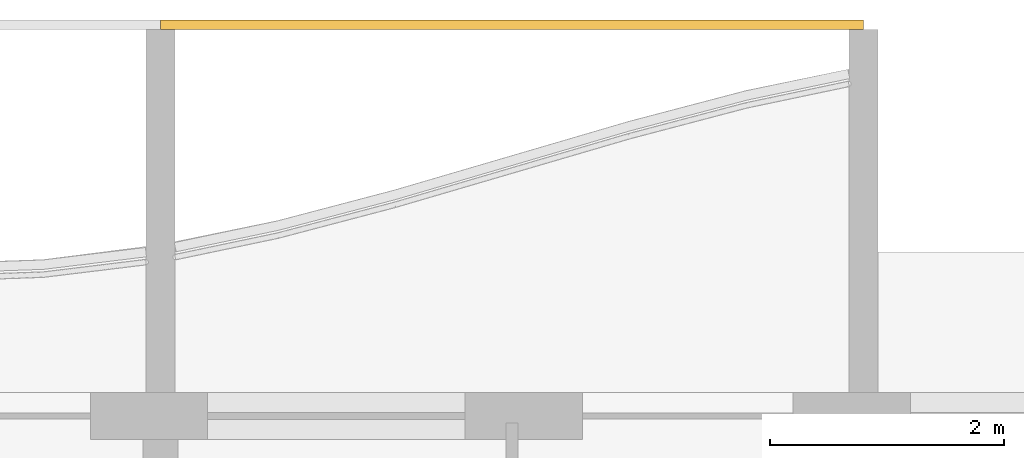
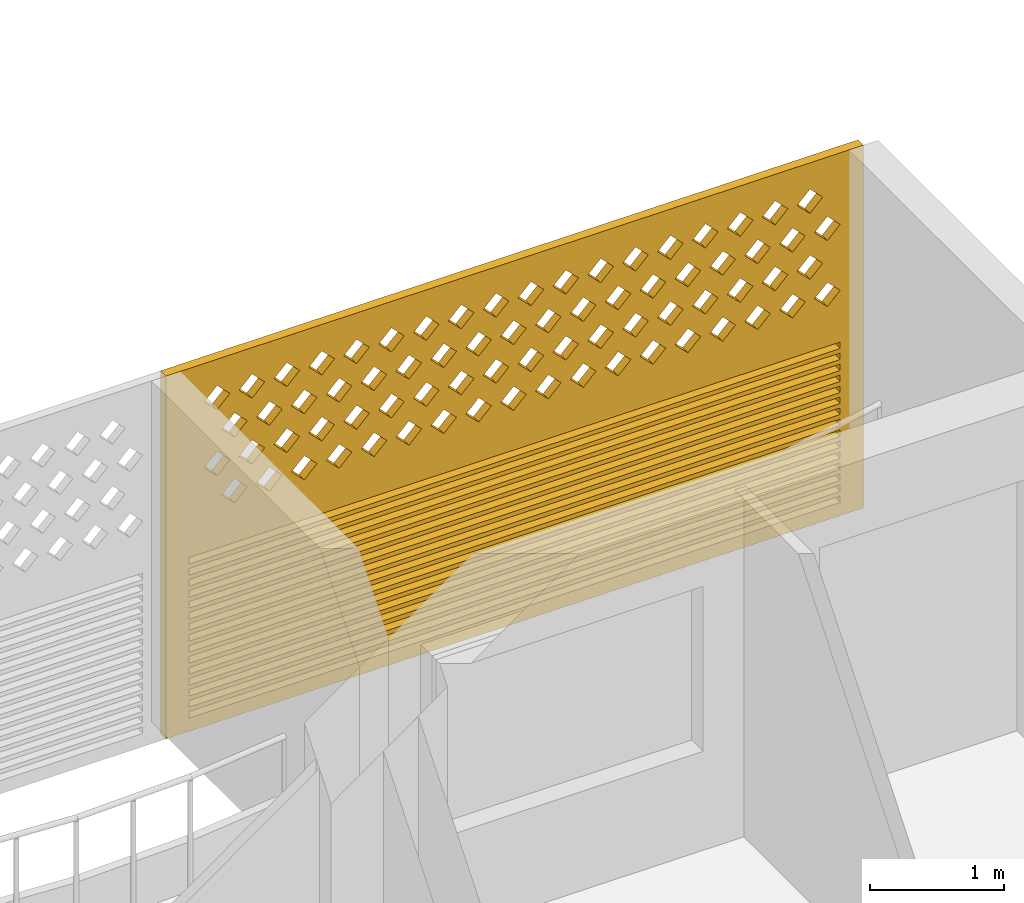
# One storey, part 24 of 32: 1 covering.
"""IFC4 building model written with IfcOpenShell, lengths in metres."""

from ifc_helpers import new_model, si_unit, direction, frame, origin, place, context, subcontext, project, spatial, polyline, outline, extrude, source, transform, mapped, material, material_profile, profile_set, type_object, element, save


model = new_model("IFC4")

# Units and contexts
model_context = context("Model", 3, precision=1e-05, world=origin(), true_north=direction((0.0, 1.0)))
body_context = subcontext(model_context, "Body", "Model", "MODEL_VIEW")
ifc_project = project(units=[si_unit("LENGTHUNIT", "METRE"), si_unit("AREAUNIT", "SQUARE_METRE"), si_unit("VOLUMEUNIT", "CUBIC_METRE"), si_unit("PLANEANGLEUNIT", "RADIAN"), si_unit("MASSUNIT", "GRAM", prefix="KILO")], contexts=[model_context])

# Site, building, storey
site_placement = place(None, origin())
site = spatial("IfcSite", under=ifc_project, at=site_placement, CompositionType="ELEMENT")
building_placement = place(site_placement, origin())
building = spatial("IfcBuilding", under=site, at=building_placement, Name="Poui Terraces", CompositionType="ELEMENT")
storey_placement = place(building_placement, frame((0.0, 0.0, 122.39990234375)))
storey = spatial("IfcBuildingStorey", under=building, at=storey_placement, Name="L33", CompositionType="ELEMENT", Elevation=122.39990234375)

# Covering
ifc_material = material(Name="Terracotta screen", Category="masonry")
ifc_material_profile = material_profile(ifc_material, outline(polyline([(-3.0, -1.64990234375), (3.0, -1.64990234375), (3.0, 1.64990234375), (-3.0, 1.64990234375), (-3.0, -1.64990234375)]), holes=[polyline([(-2.800048828125, 0.39990234375), (-2.68994140625, 0.2900390625), (-2.580078125, 0.39990234375), (-2.68994140625, 0.510009765625), (-2.800048828125, 0.39990234375)]), polyline([(-2.5, 0.39990234375), (-2.389892578125, 0.2900390625), (-2.280029296875, 0.39990234375), (-2.389892578125, 0.510009765625), (-2.5, 0.39990234375)]), polyline([(-2.199951171875, 0.39990234375), (-2.090087890625, 0.2900390625), (-1.97998046875, 0.39990234375), (-2.090087890625, 0.510009765625), (-2.199951171875, 0.39990234375)]), polyline([(-1.89990234375, 0.39990234375), (-1.7900390625, 0.2900390625), (-1.679931640625, 0.39990234375), (-1.7900390625, 0.510009765625), (-1.89990234375, 0.39990234375)]), polyline([(-1.60009765625, 0.39990234375), (-1.489990234375, 0.2900390625), (-1.3798828125, 0.39990234375), (-1.489990234375, 0.510009765625), (-1.60009765625, 0.39990234375)]), polyline([(-1.300048828125, 0.39990234375), (-1.18994140625, 0.2900390625), (-1.080078125, 0.39990234375), (-1.18994140625, 0.510009765625), (-1.300048828125, 0.39990234375)]), polyline([(-1.0, 0.39990234375), (-0.889892578125, 0.2900390625), (-0.780029296875, 0.39990234375), (-0.889892578125, 0.510009765625), (-1.0, 0.39990234375)]), polyline([(-0.699951171875, 0.39990234375), (-0.590087890625, 0.2900390625), (-0.47998046875, 0.39990234375), (-0.590087890625, 0.510009765625), (-0.699951171875, 0.39990234375)]), polyline([(-0.39990234375, 0.39990234375), (-0.2900390625, 0.2900390625), (-0.179931640625, 0.39990234375), (-0.2900390625, 0.510009765625), (-0.39990234375, 0.39990234375)]), polyline([(-0.10009765625, 0.39990234375), (0.010009765625, 0.2900390625), (0.1201171875, 0.39990234375), (0.010009765625, 0.510009765625), (-0.10009765625, 0.39990234375)]), polyline([(0.199951171875, 0.39990234375), (0.31005859375, 0.2900390625), (0.419921875, 0.39990234375), (0.31005859375, 0.510009765625), (0.199951171875, 0.39990234375)]), polyline([(0.5, 0.39990234375), (0.610107421875, 0.2900390625), (0.719970703125, 0.39990234375), (0.610107421875, 0.510009765625), (0.5, 0.39990234375)]), polyline([(0.800048828125, 0.39990234375), (0.909912109375, 0.2900390625), (1.02001953125, 0.39990234375), (0.909912109375, 0.510009765625), (0.800048828125, 0.39990234375)]), polyline([(1.10009765625, 0.39990234375), (1.2099609375, 0.2900390625), (1.320068359375, 0.39990234375), (1.2099609375, 0.510009765625), (1.10009765625, 0.39990234375)]), polyline([(1.39990234375, 0.39990234375), (1.510009765625, 0.2900390625), (1.6201171875, 0.39990234375), (1.510009765625, 0.510009765625), (1.39990234375, 0.39990234375)]), polyline([(1.699951171875, 0.39990234375), (1.81005859375, 0.2900390625), (1.919921875, 0.39990234375), (1.81005859375, 0.510009765625), (1.699951171875, 0.39990234375)]), polyline([(2.0, 0.39990234375), (2.110107421875, 0.2900390625), (2.219970703125, 0.39990234375), (2.110107421875, 0.510009765625), (2.0, 0.39990234375)]), polyline([(2.300048828125, 0.39990234375), (2.409912109375, 0.2900390625), (2.52001953125, 0.39990234375), (2.409912109375, 0.510009765625), (2.300048828125, 0.39990234375)]), polyline([(-2.64990234375, 0.699951171875), (-2.5400390625, 0.590087890625), (-2.429931640625, 0.699951171875), (-2.5400390625, 0.81005859375), (-2.64990234375, 0.699951171875)]), polyline([(-2.35009765625, 0.699951171875), (-2.239990234375, 0.590087890625), (-2.1298828125, 0.699951171875), (-2.239990234375, 0.81005859375), (-2.35009765625, 0.699951171875)]), polyline([(-2.050048828125, 0.699951171875), (-1.93994140625, 0.590087890625), (-1.830078125, 0.699951171875), (-1.93994140625, 0.81005859375), (-2.050048828125, 0.699951171875)]), polyline([(-1.75, 0.699951171875), (-1.639892578125, 0.590087890625), (-1.530029296875, 0.699951171875), (-1.639892578125, 0.81005859375), (-1.75, 0.699951171875)]), polyline([(-1.449951171875, 0.699951171875), (-1.340087890625, 0.590087890625), (-1.22998046875, 0.699951171875), (-1.340087890625, 0.81005859375), (-1.449951171875, 0.699951171875)]), polyline([(-1.14990234375, 0.699951171875), (-1.0400390625, 0.590087890625), (-0.929931640625, 0.699951171875), (-1.0400390625, 0.81005859375), (-1.14990234375, 0.699951171875)]), polyline([(-0.85009765625, 0.699951171875), (-0.739990234375, 0.590087890625), (-0.6298828125, 0.699951171875), (-0.739990234375, 0.81005859375), (-0.85009765625, 0.699951171875)]), polyline([(-0.550048828125, 0.699951171875), (-0.43994140625, 0.590087890625), (-0.330078125, 0.699951171875), (-0.43994140625, 0.81005859375), (-0.550048828125, 0.699951171875)]), polyline([(-0.25, 0.699951171875), (-0.139892578125, 0.590087890625), (-0.030029296875, 0.699951171875), (-0.139892578125, 0.81005859375), (-0.25, 0.699951171875)]), polyline([(0.050048828125, 0.699951171875), (0.159912109375, 0.590087890625), (0.27001953125, 0.699951171875), (0.159912109375, 0.81005859375), (0.050048828125, 0.699951171875)]), polyline([(0.35009765625, 0.699951171875), (0.4599609375, 0.590087890625), (0.570068359375, 0.699951171875), (0.4599609375, 0.81005859375), (0.35009765625, 0.699951171875)]), polyline([(0.64990234375, 0.699951171875), (0.760009765625, 0.590087890625), (0.8701171875, 0.699951171875), (0.760009765625, 0.81005859375), (0.64990234375, 0.699951171875)]), polyline([(0.949951171875, 0.699951171875), (1.06005859375, 0.590087890625), (1.169921875, 0.699951171875), (1.06005859375, 0.81005859375), (0.949951171875, 0.699951171875)]), polyline([(1.25, 0.699951171875), (1.360107421875, 0.590087890625), (1.469970703125, 0.699951171875), (1.360107421875, 0.81005859375), (1.25, 0.699951171875)]), polyline([(1.550048828125, 0.699951171875), (1.659912109375, 0.590087890625), (1.77001953125, 0.699951171875), (1.659912109375, 0.81005859375), (1.550048828125, 0.699951171875)]), polyline([(1.85009765625, 0.699951171875), (1.9599609375, 0.590087890625), (2.070068359375, 0.699951171875), (1.9599609375, 0.81005859375), (1.85009765625, 0.699951171875)]), polyline([(2.14990234375, 0.699951171875), (2.260009765625, 0.590087890625), (2.3701171875, 0.699951171875), (2.260009765625, 0.81005859375), (2.14990234375, 0.699951171875)]), polyline([(2.449951171875, 0.699951171875), (2.56005859375, 0.590087890625), (2.669921875, 0.699951171875), (2.56005859375, 0.81005859375), (2.449951171875, 0.699951171875)]), polyline([(-2.800048828125, 1.0), (-2.68994140625, 0.889892578125), (-2.580078125, 1.0), (-2.68994140625, 1.110107421875), (-2.800048828125, 1.0)]), polyline([(-2.5, 1.0), (-2.389892578125, 0.889892578125), (-2.280029296875, 1.0), (-2.389892578125, 1.110107421875), (-2.5, 1.0)]), polyline([(-2.199951171875, 1.0), (-2.090087890625, 0.889892578125), (-1.97998046875, 1.0), (-2.090087890625, 1.110107421875), (-2.199951171875, 1.0)]), polyline([(-1.89990234375, 1.0), (-1.7900390625, 0.889892578125), (-1.679931640625, 1.0), (-1.7900390625, 1.110107421875), (-1.89990234375, 1.0)]), polyline([(-1.60009765625, 1.0), (-1.489990234375, 0.889892578125), (-1.3798828125, 1.0), (-1.489990234375, 1.110107421875), (-1.60009765625, 1.0)]), polyline([(-1.300048828125, 1.0), (-1.18994140625, 0.889892578125), (-1.080078125, 1.0), (-1.18994140625, 1.110107421875), (-1.300048828125, 1.0)]), polyline([(-1.0, 1.0), (-0.889892578125, 0.889892578125), (-0.780029296875, 1.0), (-0.889892578125, 1.110107421875), (-1.0, 1.0)]), polyline([(-0.699951171875, 1.0), (-0.590087890625, 0.889892578125), (-0.47998046875, 1.0), (-0.590087890625, 1.110107421875), (-0.699951171875, 1.0)]), polyline([(-0.39990234375, 1.0), (-0.2900390625, 0.889892578125), (-0.179931640625, 1.0), (-0.2900390625, 1.110107421875), (-0.39990234375, 1.0)]), polyline([(-0.10009765625, 1.0), (0.010009765625, 0.889892578125), (0.1201171875, 1.0), (0.010009765625, 1.110107421875), (-0.10009765625, 1.0)]), polyline([(0.199951171875, 1.0), (0.31005859375, 0.889892578125), (0.419921875, 1.0), (0.31005859375, 1.110107421875), (0.199951171875, 1.0)]), polyline([(0.5, 1.0), (0.610107421875, 0.889892578125), (0.719970703125, 1.0), (0.610107421875, 1.110107421875), (0.5, 1.0)]), polyline([(0.800048828125, 1.0), (0.909912109375, 0.889892578125), (1.02001953125, 1.0), (0.909912109375, 1.110107421875), (0.800048828125, 1.0)]), polyline([(1.10009765625, 1.0), (1.2099609375, 0.889892578125), (1.320068359375, 1.0), (1.2099609375, 1.110107421875), (1.10009765625, 1.0)]), polyline([(1.39990234375, 1.0), (1.510009765625, 0.889892578125), (1.6201171875, 1.0), (1.510009765625, 1.110107421875), (1.39990234375, 1.0)]), polyline([(1.699951171875, 1.0), (1.81005859375, 0.889892578125), (1.919921875, 1.0), (1.81005859375, 1.110107421875), (1.699951171875, 1.0)]), polyline([(2.0, 1.0), (2.110107421875, 0.889892578125), (2.219970703125, 1.0), (2.110107421875, 1.110107421875), (2.0, 1.0)]), polyline([(2.300048828125, 1.0), (2.409912109375, 0.889892578125), (2.52001953125, 1.0), (2.409912109375, 1.110107421875), (2.300048828125, 1.0)]), polyline([(-2.64990234375, 1.300048828125), (-2.5400390625, 1.18994140625), (-2.429931640625, 1.300048828125), (-2.5400390625, 1.409912109375), (-2.64990234375, 1.300048828125)]), polyline([(-2.35009765625, 1.300048828125), (-2.239990234375, 1.18994140625), (-2.1298828125, 1.300048828125), (-2.239990234375, 1.409912109375), (-2.35009765625, 1.300048828125)]), polyline([(-2.050048828125, 1.300048828125), (-1.93994140625, 1.18994140625), (-1.830078125, 1.300048828125), (-1.93994140625, 1.409912109375), (-2.050048828125, 1.300048828125)]), polyline([(-1.75, 1.300048828125), (-1.639892578125, 1.18994140625), (-1.530029296875, 1.300048828125), (-1.639892578125, 1.409912109375), (-1.75, 1.300048828125)]), polyline([(-1.449951171875, 1.300048828125), (-1.340087890625, 1.18994140625), (-1.22998046875, 1.300048828125), (-1.340087890625, 1.409912109375), (-1.449951171875, 1.300048828125)]), polyline([(-1.14990234375, 1.300048828125), (-1.0400390625, 1.18994140625), (-0.929931640625, 1.300048828125), (-1.0400390625, 1.409912109375), (-1.14990234375, 1.300048828125)]), polyline([(-0.85009765625, 1.300048828125), (-0.739990234375, 1.18994140625), (-0.6298828125, 1.300048828125), (-0.739990234375, 1.409912109375), (-0.85009765625, 1.300048828125)]), polyline([(-0.550048828125, 1.300048828125), (-0.43994140625, 1.18994140625), (-0.330078125, 1.300048828125), (-0.43994140625, 1.409912109375), (-0.550048828125, 1.300048828125)]), polyline([(-0.25, 1.300048828125), (-0.139892578125, 1.18994140625), (-0.030029296875, 1.300048828125), (-0.139892578125, 1.409912109375), (-0.25, 1.300048828125)]), polyline([(0.050048828125, 1.300048828125), (0.159912109375, 1.18994140625), (0.27001953125, 1.300048828125), (0.159912109375, 1.409912109375), (0.050048828125, 1.300048828125)]), polyline([(0.35009765625, 1.300048828125), (0.4599609375, 1.18994140625), (0.570068359375, 1.300048828125), (0.4599609375, 1.409912109375), (0.35009765625, 1.300048828125)]), polyline([(0.64990234375, 1.300048828125), (0.760009765625, 1.18994140625), (0.8701171875, 1.300048828125), (0.760009765625, 1.409912109375), (0.64990234375, 1.300048828125)]), polyline([(0.949951171875, 1.300048828125), (1.06005859375, 1.18994140625), (1.169921875, 1.300048828125), (1.06005859375, 1.409912109375), (0.949951171875, 1.300048828125)]), polyline([(1.25, 1.300048828125), (1.360107421875, 1.18994140625), (1.469970703125, 1.300048828125), (1.360107421875, 1.409912109375), (1.25, 1.300048828125)]), polyline([(1.550048828125, 1.300048828125), (1.659912109375, 1.18994140625), (1.77001953125, 1.300048828125), (1.659912109375, 1.409912109375), (1.550048828125, 1.300048828125)]), polyline([(1.85009765625, 1.300048828125), (1.9599609375, 1.18994140625), (2.070068359375, 1.300048828125), (1.9599609375, 1.409912109375), (1.85009765625, 1.300048828125)]), polyline([(2.14990234375, 1.300048828125), (2.260009765625, 1.18994140625), (2.3701171875, 1.300048828125), (2.260009765625, 1.409912109375), (2.14990234375, 1.300048828125)]), polyline([(2.449951171875, 1.300048828125), (2.56005859375, 1.18994140625), (2.669921875, 1.300048828125), (2.56005859375, 1.409912109375), (2.449951171875, 1.300048828125)]), polyline([(-2.800048828125, -1.530029296875), (2.800048828125, -1.530029296875), (2.800048828125, -1.469970703125), (-2.800048828125, -1.469970703125), (-2.800048828125, -1.530029296875)]), polyline([(-2.800048828125, -1.429931640625), (2.800048828125, -1.429931640625), (2.800048828125, -1.3701171875), (-2.800048828125, -1.3701171875), (-2.800048828125, -1.429931640625)]), polyline([(-2.800048828125, -1.330078125), (2.800048828125, -1.330078125), (2.800048828125, -1.27001953125), (-2.800048828125, -1.27001953125), (-2.800048828125, -1.330078125)]), polyline([(-2.800048828125, -1.22998046875), (2.800048828125, -1.22998046875), (2.800048828125, -1.169921875), (-2.800048828125, -1.169921875), (-2.800048828125, -1.22998046875)]), polyline([(-2.800048828125, -1.1298828125), (2.800048828125, -1.1298828125), (2.800048828125, -1.070068359375), (-2.800048828125, -1.070068359375), (-2.800048828125, -1.1298828125)]), polyline([(-2.800048828125, -1.030029296875), (2.800048828125, -1.030029296875), (2.800048828125, -0.969970703125), (-2.800048828125, -0.969970703125), (-2.800048828125, -1.030029296875)]), polyline([(-2.800048828125, -0.929931640625), (2.800048828125, -0.929931640625), (2.800048828125, -0.8701171875), (-2.800048828125, -0.8701171875), (-2.800048828125, -0.929931640625)]), polyline([(-2.800048828125, -0.830078125), (2.800048828125, -0.830078125), (2.800048828125, -0.77001953125), (-2.800048828125, -0.77001953125), (-2.800048828125, -0.830078125)]), polyline([(-2.800048828125, -0.72998046875), (2.800048828125, -0.72998046875), (2.800048828125, -0.669921875), (-2.800048828125, -0.669921875), (-2.800048828125, -0.72998046875)]), polyline([(-2.800048828125, -0.6298828125), (2.800048828125, -0.6298828125), (2.800048828125, -0.570068359375), (-2.800048828125, -0.570068359375), (-2.800048828125, -0.6298828125)]), polyline([(-2.800048828125, -0.530029296875), (2.800048828125, -0.530029296875), (2.800048828125, -0.469970703125), (-2.800048828125, -0.469970703125), (-2.800048828125, -0.530029296875)]), polyline([(-2.800048828125, -0.429931640625), (2.800048828125, -0.429931640625), (2.800048828125, -0.3701171875), (-2.800048828125, -0.3701171875), (-2.800048828125, -0.429931640625)]), polyline([(-2.800048828125, -0.330078125), (2.800048828125, -0.330078125), (2.800048828125, -0.27001953125), (-2.800048828125, -0.27001953125), (-2.800048828125, -0.330078125)]), polyline([(-2.800048828125, -0.22998046875), (2.800048828125, -0.22998046875), (2.800048828125, -0.169921875), (-2.800048828125, -0.169921875), (-2.800048828125, -0.22998046875)]), polyline([(-2.800048828125, -0.1298828125), (2.800048828125, -0.1298828125), (2.800048828125, -0.070068359375), (-2.800048828125, -0.070068359375), (-2.800048828125, -0.1298828125)])]), Name="TERRACOTTA SCREEN AND JALOUSIE LOUVRE 6000X3300")
ifc_profile_set = profile_set([ifc_material_profile], Name="Terracotta screen")
covering_type = type_object("IfcCoveringType", Name="TERRACOTTA SCREEN AND JALOUSIE LOUVRE 6000X3300", PredefinedType="CLADDING", material=ifc_profile_set)
shared_shape = source(origin(), body_context, "Body", "SweptSolid", [
    extrude(outline(polyline([(-3.0, -1.64990234375), (3.0, -1.64990234375), (3.0, 1.64990234375), (-3.0, 1.64990234375), (-3.0, -1.64990234375)]), holes=[polyline([(-2.800048828125, 0.39990234375), (-2.68994140625, 0.2900390625), (-2.580078125, 0.39990234375), (-2.68994140625, 0.510009765625), (-2.800048828125, 0.39990234375)]), polyline([(-2.5, 0.39990234375), (-2.389892578125, 0.2900390625), (-2.280029296875, 0.39990234375), (-2.389892578125, 0.510009765625), (-2.5, 0.39990234375)]), polyline([(-2.199951171875, 0.39990234375), (-2.090087890625, 0.2900390625), (-1.97998046875, 0.39990234375), (-2.090087890625, 0.510009765625), (-2.199951171875, 0.39990234375)]), polyline([(-1.89990234375, 0.39990234375), (-1.7900390625, 0.2900390625), (-1.679931640625, 0.39990234375), (-1.7900390625, 0.510009765625), (-1.89990234375, 0.39990234375)]), polyline([(-1.60009765625, 0.39990234375), (-1.489990234375, 0.2900390625), (-1.3798828125, 0.39990234375), (-1.489990234375, 0.510009765625), (-1.60009765625, 0.39990234375)]), polyline([(-1.300048828125, 0.39990234375), (-1.18994140625, 0.2900390625), (-1.080078125, 0.39990234375), (-1.18994140625, 0.510009765625), (-1.300048828125, 0.39990234375)]), polyline([(-1.0, 0.39990234375), (-0.889892578125, 0.2900390625), (-0.780029296875, 0.39990234375), (-0.889892578125, 0.510009765625), (-1.0, 0.39990234375)]), polyline([(-0.699951171875, 0.39990234375), (-0.590087890625, 0.2900390625), (-0.47998046875, 0.39990234375), (-0.590087890625, 0.510009765625), (-0.699951171875, 0.39990234375)]), polyline([(-0.39990234375, 0.39990234375), (-0.2900390625, 0.2900390625), (-0.179931640625, 0.39990234375), (-0.2900390625, 0.510009765625), (-0.39990234375, 0.39990234375)]), polyline([(-0.10009765625, 0.39990234375), (0.010009765625, 0.2900390625), (0.1201171875, 0.39990234375), (0.010009765625, 0.510009765625), (-0.10009765625, 0.39990234375)]), polyline([(0.199951171875, 0.39990234375), (0.31005859375, 0.2900390625), (0.419921875, 0.39990234375), (0.31005859375, 0.510009765625), (0.199951171875, 0.39990234375)]), polyline([(0.5, 0.39990234375), (0.610107421875, 0.2900390625), (0.719970703125, 0.39990234375), (0.610107421875, 0.510009765625), (0.5, 0.39990234375)]), polyline([(0.800048828125, 0.39990234375), (0.909912109375, 0.2900390625), (1.02001953125, 0.39990234375), (0.909912109375, 0.510009765625), (0.800048828125, 0.39990234375)]), polyline([(1.10009765625, 0.39990234375), (1.2099609375, 0.2900390625), (1.320068359375, 0.39990234375), (1.2099609375, 0.510009765625), (1.10009765625, 0.39990234375)]), polyline([(1.39990234375, 0.39990234375), (1.510009765625, 0.2900390625), (1.6201171875, 0.39990234375), (1.510009765625, 0.510009765625), (1.39990234375, 0.39990234375)]), polyline([(1.699951171875, 0.39990234375), (1.81005859375, 0.2900390625), (1.919921875, 0.39990234375), (1.81005859375, 0.510009765625), (1.699951171875, 0.39990234375)]), polyline([(2.0, 0.39990234375), (2.110107421875, 0.2900390625), (2.219970703125, 0.39990234375), (2.110107421875, 0.510009765625), (2.0, 0.39990234375)]), polyline([(2.300048828125, 0.39990234375), (2.409912109375, 0.2900390625), (2.52001953125, 0.39990234375), (2.409912109375, 0.510009765625), (2.300048828125, 0.39990234375)]), polyline([(-2.64990234375, 0.699951171875), (-2.5400390625, 0.590087890625), (-2.429931640625, 0.699951171875), (-2.5400390625, 0.81005859375), (-2.64990234375, 0.699951171875)]), polyline([(-2.35009765625, 0.699951171875), (-2.239990234375, 0.590087890625), (-2.1298828125, 0.699951171875), (-2.239990234375, 0.81005859375), (-2.35009765625, 0.699951171875)]), polyline([(-2.050048828125, 0.699951171875), (-1.93994140625, 0.590087890625), (-1.830078125, 0.699951171875), (-1.93994140625, 0.81005859375), (-2.050048828125, 0.699951171875)]), polyline([(-1.75, 0.699951171875), (-1.639892578125, 0.590087890625), (-1.530029296875, 0.699951171875), (-1.639892578125, 0.81005859375), (-1.75, 0.699951171875)]), polyline([(-1.449951171875, 0.699951171875), (-1.340087890625, 0.590087890625), (-1.22998046875, 0.699951171875), (-1.340087890625, 0.81005859375), (-1.449951171875, 0.699951171875)]), polyline([(-1.14990234375, 0.699951171875), (-1.0400390625, 0.590087890625), (-0.929931640625, 0.699951171875), (-1.0400390625, 0.81005859375), (-1.14990234375, 0.699951171875)]), polyline([(-0.85009765625, 0.699951171875), (-0.739990234375, 0.590087890625), (-0.6298828125, 0.699951171875), (-0.739990234375, 0.81005859375), (-0.85009765625, 0.699951171875)]), polyline([(-0.550048828125, 0.699951171875), (-0.43994140625, 0.590087890625), (-0.330078125, 0.699951171875), (-0.43994140625, 0.81005859375), (-0.550048828125, 0.699951171875)]), polyline([(-0.25, 0.699951171875), (-0.139892578125, 0.590087890625), (-0.030029296875, 0.699951171875), (-0.139892578125, 0.81005859375), (-0.25, 0.699951171875)]), polyline([(0.050048828125, 0.699951171875), (0.159912109375, 0.590087890625), (0.27001953125, 0.699951171875), (0.159912109375, 0.81005859375), (0.050048828125, 0.699951171875)]), polyline([(0.35009765625, 0.699951171875), (0.4599609375, 0.590087890625), (0.570068359375, 0.699951171875), (0.4599609375, 0.81005859375), (0.35009765625, 0.699951171875)]), polyline([(0.64990234375, 0.699951171875), (0.760009765625, 0.590087890625), (0.8701171875, 0.699951171875), (0.760009765625, 0.81005859375), (0.64990234375, 0.699951171875)]), polyline([(0.949951171875, 0.699951171875), (1.06005859375, 0.590087890625), (1.169921875, 0.699951171875), (1.06005859375, 0.81005859375), (0.949951171875, 0.699951171875)]), polyline([(1.25, 0.699951171875), (1.360107421875, 0.590087890625), (1.469970703125, 0.699951171875), (1.360107421875, 0.81005859375), (1.25, 0.699951171875)]), polyline([(1.550048828125, 0.699951171875), (1.659912109375, 0.590087890625), (1.77001953125, 0.699951171875), (1.659912109375, 0.81005859375), (1.550048828125, 0.699951171875)]), polyline([(1.85009765625, 0.699951171875), (1.9599609375, 0.590087890625), (2.070068359375, 0.699951171875), (1.9599609375, 0.81005859375), (1.85009765625, 0.699951171875)]), polyline([(2.14990234375, 0.699951171875), (2.260009765625, 0.590087890625), (2.3701171875, 0.699951171875), (2.260009765625, 0.81005859375), (2.14990234375, 0.699951171875)]), polyline([(2.449951171875, 0.699951171875), (2.56005859375, 0.590087890625), (2.669921875, 0.699951171875), (2.56005859375, 0.81005859375), (2.449951171875, 0.699951171875)]), polyline([(-2.800048828125, 1.0), (-2.68994140625, 0.889892578125), (-2.580078125, 1.0), (-2.68994140625, 1.110107421875), (-2.800048828125, 1.0)]), polyline([(-2.5, 1.0), (-2.389892578125, 0.889892578125), (-2.280029296875, 1.0), (-2.389892578125, 1.110107421875), (-2.5, 1.0)]), polyline([(-2.199951171875, 1.0), (-2.090087890625, 0.889892578125), (-1.97998046875, 1.0), (-2.090087890625, 1.110107421875), (-2.199951171875, 1.0)]), polyline([(-1.89990234375, 1.0), (-1.7900390625, 0.889892578125), (-1.679931640625, 1.0), (-1.7900390625, 1.110107421875), (-1.89990234375, 1.0)]), polyline([(-1.60009765625, 1.0), (-1.489990234375, 0.889892578125), (-1.3798828125, 1.0), (-1.489990234375, 1.110107421875), (-1.60009765625, 1.0)]), polyline([(-1.300048828125, 1.0), (-1.18994140625, 0.889892578125), (-1.080078125, 1.0), (-1.18994140625, 1.110107421875), (-1.300048828125, 1.0)]), polyline([(-1.0, 1.0), (-0.889892578125, 0.889892578125), (-0.780029296875, 1.0), (-0.889892578125, 1.110107421875), (-1.0, 1.0)]), polyline([(-0.699951171875, 1.0), (-0.590087890625, 0.889892578125), (-0.47998046875, 1.0), (-0.590087890625, 1.110107421875), (-0.699951171875, 1.0)]), polyline([(-0.39990234375, 1.0), (-0.2900390625, 0.889892578125), (-0.179931640625, 1.0), (-0.2900390625, 1.110107421875), (-0.39990234375, 1.0)]), polyline([(-0.10009765625, 1.0), (0.010009765625, 0.889892578125), (0.1201171875, 1.0), (0.010009765625, 1.110107421875), (-0.10009765625, 1.0)]), polyline([(0.199951171875, 1.0), (0.31005859375, 0.889892578125), (0.419921875, 1.0), (0.31005859375, 1.110107421875), (0.199951171875, 1.0)]), polyline([(0.5, 1.0), (0.610107421875, 0.889892578125), (0.719970703125, 1.0), (0.610107421875, 1.110107421875), (0.5, 1.0)]), polyline([(0.800048828125, 1.0), (0.909912109375, 0.889892578125), (1.02001953125, 1.0), (0.909912109375, 1.110107421875), (0.800048828125, 1.0)]), polyline([(1.10009765625, 1.0), (1.2099609375, 0.889892578125), (1.320068359375, 1.0), (1.2099609375, 1.110107421875), (1.10009765625, 1.0)]), polyline([(1.39990234375, 1.0), (1.510009765625, 0.889892578125), (1.6201171875, 1.0), (1.510009765625, 1.110107421875), (1.39990234375, 1.0)]), polyline([(1.699951171875, 1.0), (1.81005859375, 0.889892578125), (1.919921875, 1.0), (1.81005859375, 1.110107421875), (1.699951171875, 1.0)]), polyline([(2.0, 1.0), (2.110107421875, 0.889892578125), (2.219970703125, 1.0), (2.110107421875, 1.110107421875), (2.0, 1.0)]), polyline([(2.300048828125, 1.0), (2.409912109375, 0.889892578125), (2.52001953125, 1.0), (2.409912109375, 1.110107421875), (2.300048828125, 1.0)]), polyline([(-2.64990234375, 1.300048828125), (-2.5400390625, 1.18994140625), (-2.429931640625, 1.300048828125), (-2.5400390625, 1.409912109375), (-2.64990234375, 1.300048828125)]), polyline([(-2.35009765625, 1.300048828125), (-2.239990234375, 1.18994140625), (-2.1298828125, 1.300048828125), (-2.239990234375, 1.409912109375), (-2.35009765625, 1.300048828125)]), polyline([(-2.050048828125, 1.300048828125), (-1.93994140625, 1.18994140625), (-1.830078125, 1.300048828125), (-1.93994140625, 1.409912109375), (-2.050048828125, 1.300048828125)]), polyline([(-1.75, 1.300048828125), (-1.639892578125, 1.18994140625), (-1.530029296875, 1.300048828125), (-1.639892578125, 1.409912109375), (-1.75, 1.300048828125)]), polyline([(-1.449951171875, 1.300048828125), (-1.340087890625, 1.18994140625), (-1.22998046875, 1.300048828125), (-1.340087890625, 1.409912109375), (-1.449951171875, 1.300048828125)]), polyline([(-1.14990234375, 1.300048828125), (-1.0400390625, 1.18994140625), (-0.929931640625, 1.300048828125), (-1.0400390625, 1.409912109375), (-1.14990234375, 1.300048828125)]), polyline([(-0.85009765625, 1.300048828125), (-0.739990234375, 1.18994140625), (-0.6298828125, 1.300048828125), (-0.739990234375, 1.409912109375), (-0.85009765625, 1.300048828125)]), polyline([(-0.550048828125, 1.300048828125), (-0.43994140625, 1.18994140625), (-0.330078125, 1.300048828125), (-0.43994140625, 1.409912109375), (-0.550048828125, 1.300048828125)]), polyline([(-0.25, 1.300048828125), (-0.139892578125, 1.18994140625), (-0.030029296875, 1.300048828125), (-0.139892578125, 1.409912109375), (-0.25, 1.300048828125)]), polyline([(0.050048828125, 1.300048828125), (0.159912109375, 1.18994140625), (0.27001953125, 1.300048828125), (0.159912109375, 1.409912109375), (0.050048828125, 1.300048828125)]), polyline([(0.35009765625, 1.300048828125), (0.4599609375, 1.18994140625), (0.570068359375, 1.300048828125), (0.4599609375, 1.409912109375), (0.35009765625, 1.300048828125)]), polyline([(0.64990234375, 1.300048828125), (0.760009765625, 1.18994140625), (0.8701171875, 1.300048828125), (0.760009765625, 1.409912109375), (0.64990234375, 1.300048828125)]), polyline([(0.949951171875, 1.300048828125), (1.06005859375, 1.18994140625), (1.169921875, 1.300048828125), (1.06005859375, 1.409912109375), (0.949951171875, 1.300048828125)]), polyline([(1.25, 1.300048828125), (1.360107421875, 1.18994140625), (1.469970703125, 1.300048828125), (1.360107421875, 1.409912109375), (1.25, 1.300048828125)]), polyline([(1.550048828125, 1.300048828125), (1.659912109375, 1.18994140625), (1.77001953125, 1.300048828125), (1.659912109375, 1.409912109375), (1.550048828125, 1.300048828125)]), polyline([(1.85009765625, 1.300048828125), (1.9599609375, 1.18994140625), (2.070068359375, 1.300048828125), (1.9599609375, 1.409912109375), (1.85009765625, 1.300048828125)]), polyline([(2.14990234375, 1.300048828125), (2.260009765625, 1.18994140625), (2.3701171875, 1.300048828125), (2.260009765625, 1.409912109375), (2.14990234375, 1.300048828125)]), polyline([(2.449951171875, 1.300048828125), (2.56005859375, 1.18994140625), (2.669921875, 1.300048828125), (2.56005859375, 1.409912109375), (2.449951171875, 1.300048828125)]), polyline([(-2.800048828125, -1.530029296875), (2.800048828125, -1.530029296875), (2.800048828125, -1.469970703125), (-2.800048828125, -1.469970703125), (-2.800048828125, -1.530029296875)]), polyline([(-2.800048828125, -1.429931640625), (2.800048828125, -1.429931640625), (2.800048828125, -1.3701171875), (-2.800048828125, -1.3701171875), (-2.800048828125, -1.429931640625)]), polyline([(-2.800048828125, -1.330078125), (2.800048828125, -1.330078125), (2.800048828125, -1.27001953125), (-2.800048828125, -1.27001953125), (-2.800048828125, -1.330078125)]), polyline([(-2.800048828125, -1.22998046875), (2.800048828125, -1.22998046875), (2.800048828125, -1.169921875), (-2.800048828125, -1.169921875), (-2.800048828125, -1.22998046875)]), polyline([(-2.800048828125, -1.1298828125), (2.800048828125, -1.1298828125), (2.800048828125, -1.070068359375), (-2.800048828125, -1.070068359375), (-2.800048828125, -1.1298828125)]), polyline([(-2.800048828125, -1.030029296875), (2.800048828125, -1.030029296875), (2.800048828125, -0.969970703125), (-2.800048828125, -0.969970703125), (-2.800048828125, -1.030029296875)]), polyline([(-2.800048828125, -0.929931640625), (2.800048828125, -0.929931640625), (2.800048828125, -0.8701171875), (-2.800048828125, -0.8701171875), (-2.800048828125, -0.929931640625)]), polyline([(-2.800048828125, -0.830078125), (2.800048828125, -0.830078125), (2.800048828125, -0.77001953125), (-2.800048828125, -0.77001953125), (-2.800048828125, -0.830078125)]), polyline([(-2.800048828125, -0.72998046875), (2.800048828125, -0.72998046875), (2.800048828125, -0.669921875), (-2.800048828125, -0.669921875), (-2.800048828125, -0.72998046875)]), polyline([(-2.800048828125, -0.6298828125), (2.800048828125, -0.6298828125), (2.800048828125, -0.570068359375), (-2.800048828125, -0.570068359375), (-2.800048828125, -0.6298828125)]), polyline([(-2.800048828125, -0.530029296875), (2.800048828125, -0.530029296875), (2.800048828125, -0.469970703125), (-2.800048828125, -0.469970703125), (-2.800048828125, -0.530029296875)]), polyline([(-2.800048828125, -0.429931640625), (2.800048828125, -0.429931640625), (2.800048828125, -0.3701171875), (-2.800048828125, -0.3701171875), (-2.800048828125, -0.429931640625)]), polyline([(-2.800048828125, -0.330078125), (2.800048828125, -0.330078125), (2.800048828125, -0.27001953125), (-2.800048828125, -0.27001953125), (-2.800048828125, -0.330078125)]), polyline([(-2.800048828125, -0.22998046875), (2.800048828125, -0.22998046875), (2.800048828125, -0.169921875), (-2.800048828125, -0.169921875), (-2.800048828125, -0.22998046875)]), polyline([(-2.800048828125, -0.1298828125), (2.800048828125, -0.1298828125), (2.800048828125, -0.070068359375), (-2.800048828125, -0.070068359375), (-2.800048828125, -0.1298828125)])]), origin(), (0.0, 0.0, 1.0), 0.080078125),
])
covering_placement = place(storey_placement, frame((39.0, 45.699951171875, 1.4501953125), z_axis=(0.0, 1.0, 0.0), x_axis=(-1.0, 0.0, 0.0)))
element("IfcCovering", 1, at=covering_placement, inside=storey, type_object=covering_type, Name="SOLAR SCREEN AND JALOUSIE LOUVRE", PredefinedType="CLADDING", context=body_context, shape_type="MappedRepresentation", body=[
    mapped(shared_shape, transform((0.0, 0.0, 0.0))),
])

save(model, "model.ifc")
